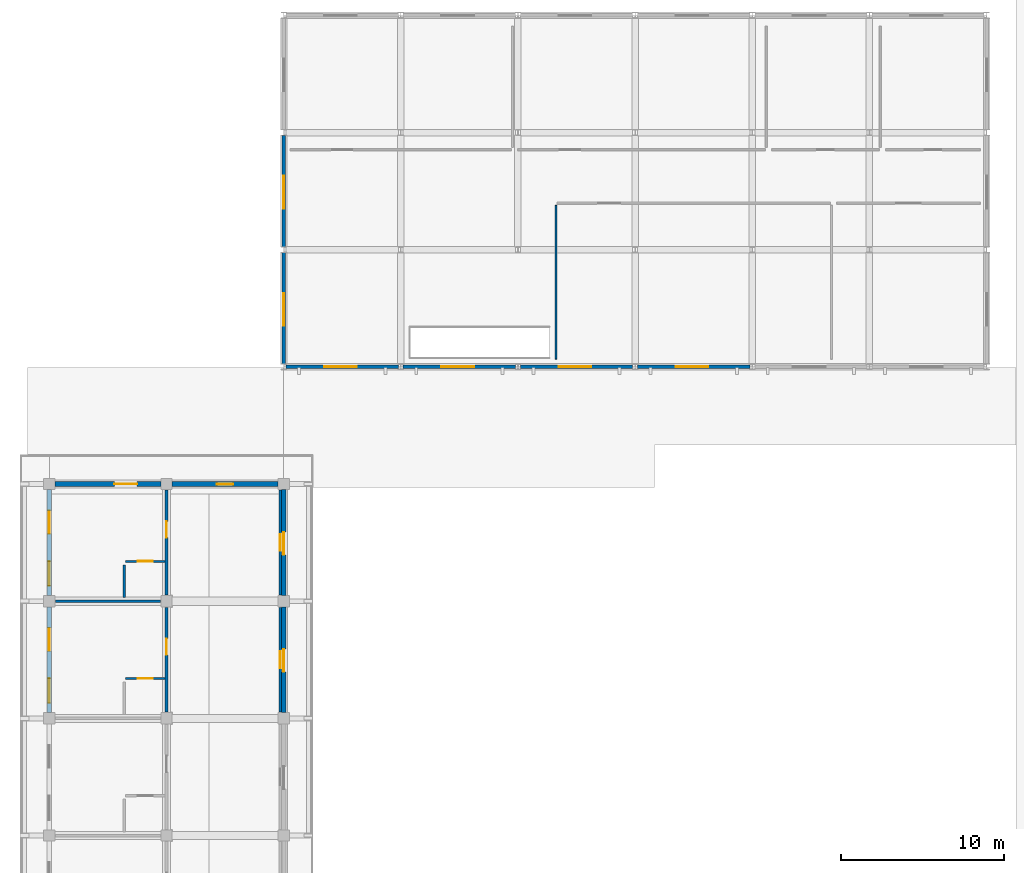
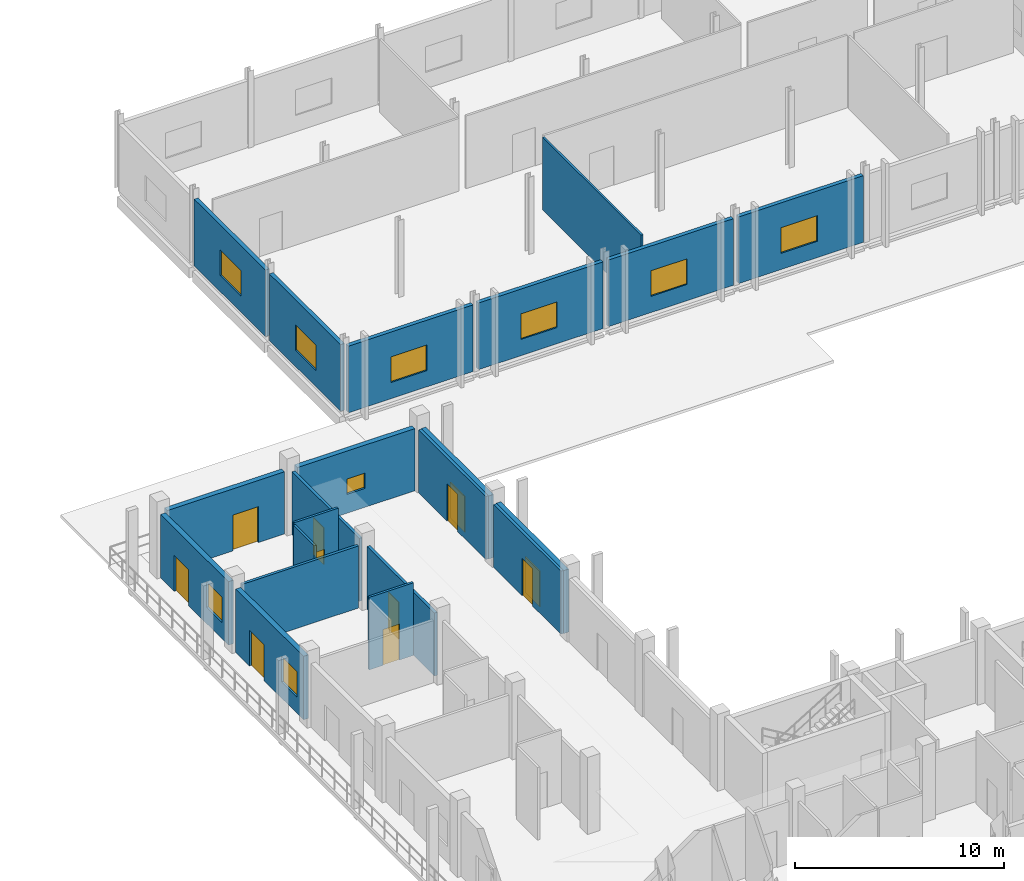
# One storey, part 68 of 110: 21 walls, 11 doors, 9 windows, 20 openings.
"""IFC4 building model written with IfcOpenShell, lengths in metres."""

import ifcopenshell
import ifcopenshell.guid

model = None  # the IFC model being written
_history = None  # IfcOwnerHistory: only IFC2X3 demands one
_inside = {}  # id of a spatial element -> (the spatial element, [elements in it])
_under = {}  # id of a project, library or spatial element -> (it, [spatial elements below it])
_declared = {}  # id of a project -> (the project, [libraries it declares])
_typed = {}  # id of a type object -> (the type object, [elements of that type])
_made_of = {}  # id of a material, layer set ... -> (it, [elements and type objects made of it])


def new_model(schema):
    """Start an empty IFC model of exactly this schema.

    Asked for "IFC4X3", IfcOpenShell would pick the latest addendum, in which some entities
    have other attributes; the version numbers below select the first issue.
    IFC2X3 requires an IfcOwnerHistory on every rooted entity: one is made here for all.
    """
    global model, _history
    if schema == "IFC4X3":
        model = ifcopenshell.file(schema_version=(4, 3, 0, 0))
    else:
        model = ifcopenshell.file(schema=schema)
    _inside.clear()
    _under.clear()
    _declared.clear()
    _typed.clear()
    _made_of.clear()
    _history = None
    if model.schema == "IFC2X3":
        org = make("IfcOrganization", Name="unknown")
        user = make(
            "IfcPersonAndOrganization",
            ThePerson=make("IfcPerson", FamilyName="unknown"),
            TheOrganization=org,
        )
        app = make(
            "IfcApplication",
            ApplicationDeveloper=org,
            Version="unknown",
            ApplicationFullName="unknown",
            ApplicationIdentifier="unknown",
        )
        _history = make(
            "IfcOwnerHistory",
            OwningUser=user,
            OwningApplication=app,
            ChangeAction="ADDED",
            CreationDate=0,
        )
    return model


def make(cls, **values):
    """One entity of the class cls with the attributes given. An attribute that is None is left unset."""
    return model.create_entity(
        cls, **{name: value for name, value in values.items() if value is not None}
    )


def rooted(cls, **values):
    """An entity with a GlobalId (a new one), such as an element, a storey or a relation."""
    return make(cls, GlobalId=ifcopenshell.guid.new(), OwnerHistory=_history, **values)


def si_unit(unit_type, name, prefix=None):
    """IfcSIUnit, for example si_unit("LENGTHUNIT", "METRE", prefix="MILLI")."""
    return make("IfcSIUnit", UnitType=unit_type, Prefix=prefix, Name=name)


def assignment(units):
    """IfcUnitAssignment: the units of a project."""
    return None if units is None else make("IfcUnitAssignment", Units=units)


def point(xyz):
    """IfcCartesianPoint."""
    return None if xyz is None else make("IfcCartesianPoint", Coordinates=xyz)


def direction(xyz):
    """IfcDirection."""
    return None if xyz is None else make("IfcDirection", DirectionRatios=xyz)


def frame(location, z_axis=None, x_axis=None):
    """IfcAxis2Placement3D, a coordinate frame: its origin and axes. An axis left out is left unset."""
    return make(
        "IfcAxis2Placement3D",
        Location=point(location),
        Axis=direction(z_axis),
        RefDirection=direction(x_axis),
    )


def frame_2d(location, x_axis=None):
    """IfcAxis2Placement2D, a coordinate frame in the plane: its origin and x axis."""
    return make(
        "IfcAxis2Placement2D", Location=point(location), RefDirection=direction(x_axis)
    )


def origin():
    """The frame at (0, 0, 0) with its axes left unset."""
    return frame((0.0, 0.0, 0.0))


def place(relative_to, where):
    """IfcLocalPlacement: puts the frame where relative to a parent placement (None: the world)."""
    return make(
        "IfcLocalPlacement", PlacementRelTo=relative_to, RelativePlacement=where
    )


def context(
    kind, dimensions, precision=None, world=None, true_north=None, identifier=None
):
    """IfcGeometricRepresentationContext, for example the 3D "Model" context."""
    return make(
        "IfcGeometricRepresentationContext",
        ContextIdentifier=identifier,
        ContextType=kind,
        CoordinateSpaceDimension=dimensions,
        Precision=precision,
        WorldCoordinateSystem=world,
        TrueNorth=true_north,
    )


def subcontext(parent, identifier, kind, view, scale=None):
    """IfcGeometricRepresentationSubContext, for example "Body" below "Model"."""
    return make(
        "IfcGeometricRepresentationSubContext",
        ContextIdentifier=identifier,
        ContextType=kind,
        ParentContext=parent,
        TargetScale=scale,
        TargetView=view,
    )


def project(units=None, contexts=None):
    """IfcProject with its units and contexts."""
    return rooted(
        "IfcProject",
        Name="project",
        RepresentationContexts=contexts,
        UnitsInContext=assignment(units),
    )


def spatial(cls, under=None, at=None, **own):
    """A site, building, storey or space (cls), placed at a placement, below another one or the project."""
    s = rooted(cls, ObjectPlacement=at, **own)
    if under is not None:
        _under.setdefault(under.id(), (under, []))[1].append(s)
    return s


def profile(cls, at=None, kind="AREA", **sizes):
    """A parametric profile (cls). Its sizes go by their IFC names, for example OverallWidth=200.0."""
    return make(cls, ProfileType=kind, Position=at, **sizes)


def rectangle(**sizes):
    """IfcRectangleProfileDef."""
    return profile("IfcRectangleProfileDef", **sizes)


def extrude(swept, where, along, depth):
    """IfcExtrudedAreaSolid: the profile swept, set in the frame where, extruded along a direction by depth."""
    return make(
        "IfcExtrudedAreaSolid",
        SweptArea=swept,
        Position=where,
        ExtrudedDirection=direction(along),
        Depth=depth,
    )


def shape(context_of_items, identifier, shape_type, items):
    """IfcShapeRepresentation: the items that make up one representation, for example the "Body"."""
    return make(
        "IfcShapeRepresentation",
        ContextOfItems=context_of_items,
        RepresentationIdentifier=identifier,
        RepresentationType=shape_type,
        Items=items,
    )


def material(Name=None, Category=None):
    """IfcMaterial."""
    return make("IfcMaterial", Name=Name, Category=Category)


def layer(
    of_material, thickness, ventilated=None, Name=None, Category=None, Priority=None
):
    """IfcMaterialLayer: one layer of a wall or slab, of a material (None: an air gap)."""
    return make(
        "IfcMaterialLayer",
        Material=of_material,
        LayerThickness=thickness,
        IsVentilated=ventilated,
        Name=Name,
        Category=Category,
        Priority=Priority,
    )


def layer_set(layers, Name=None):
    """IfcMaterialLayerSet."""
    return make("IfcMaterialLayerSet", MaterialLayers=layers, LayerSetName=Name)


def made_of(thing, what):
    """Note that an element or type object is made of a material, layer set ...; save() writes the relation."""
    if what is not None:
        _made_of.setdefault(what.id(), (what, []))[1].append(thing)
    return thing


def type_object(cls, material=None, **own):
    """A type object (cls), such as IfcWallType, which elements share."""
    return made_of(rooted(cls, **own), material)


def element(
    cls,
    number,
    at=None,
    inside=None,
    cuts=None,
    type_object=None,
    material=None,
    context=None,
    identifier="Body",
    shape_type=None,
    held_by="IfcProductDefinitionShape",
    body=None,
    shapes=None,
    **own,
):
    """One element of the class cls, such as IfcWall. Its Tag is "e" and its number.

    at: its placement. inside: the storey or other place that contains it. cuts: it is an
    opening in that element (IfcRelVoidsElement). A single representation is given by context,
    identifier, shape_type and body (its items); several are given by shapes. held_by: the class
    of the entity that holds the representations. save() writes the other relations.
    """
    e = rooted(cls, Tag="e%d" % number, ObjectPlacement=at, **own)
    if body is not None:
        shapes = [shape(context, identifier, shape_type, body)]
    if shapes is not None:
        e.Representation = make(held_by, Representations=shapes)
    if inside is not None:
        _inside.setdefault(inside.id(), (inside, []))[1].append(e)
    if cuts is not None:
        rooted(
            "IfcRelVoidsElement", RelatingBuildingElement=cuts, RelatedOpeningElement=e
        )
    if type_object is not None:
        _typed.setdefault(type_object.id(), (type_object, []))[1].append(e)
    return made_of(e, material)


def fill(opening, filler):
    """IfcRelFillsElement: the door or window that sits in an opening."""
    return rooted(
        "IfcRelFillsElement",
        RelatingOpeningElement=opening,
        RelatedBuildingElement=filler,
    )


def aggregate(whole, parts):
    """IfcRelAggregates: a whole, such as a stair, and the parts it consists of."""
    return rooted("IfcRelAggregates", RelatingObject=whole, RelatedObjects=parts)


def save(model, path):
    """Write the relations noted so far, then the file.

    IfcRelAggregates (storeys below a building ...), IfcRelContainedInSpatialStructure (elements
    in a storey), IfcRelDefinesByType, IfcRelAssociatesMaterial and IfcRelDeclares: one each for
    every whole, place, type object, material and project.
    """
    for whole, parts in _under.values():
        aggregate(whole, parts)
    for where, things in _inside.values():
        rooted(
            "IfcRelContainedInSpatialStructure",
            RelatedElements=things,
            RelatingStructure=where,
        )
    for kind, things in _typed.values():
        rooted("IfcRelDefinesByType", RelatedObjects=things, RelatingType=kind)
    for what, things in _made_of.values():
        rooted("IfcRelAssociatesMaterial", RelatedObjects=things, RelatingMaterial=what)
    for by, libraries in _declared.values():
        rooted("IfcRelDeclares", RelatingContext=by, RelatedDefinitions=libraries)
    model.write(path)


model = new_model("IFC4")

# Units and contexts
model_context = context("Model", 3, precision=1e-05, world=origin(), true_north=direction((0.0, 1.0)))
body_context = subcontext(model_context, "Body", "Model", "MODEL_VIEW")
ifc_project = project(units=[si_unit("LENGTHUNIT", "METRE"), si_unit("AREAUNIT", "SQUARE_METRE"), si_unit("VOLUMEUNIT", "CUBIC_METRE"), si_unit("PLANEANGLEUNIT", "RADIAN"), si_unit("MASSUNIT", "GRAM", prefix="KILO")], contexts=[model_context])

# Site, building, storey
site_placement = place(None, origin())
site = spatial("IfcSite", under=ifc_project, at=site_placement, CompositionType="ELEMENT")
building_placement = place(site_placement, origin())
building = spatial("IfcBuilding", under=site, at=building_placement, Name="Suanplinth Sawtooth Commons", CompositionType="ELEMENT")
storey_placement = place(building_placement, frame((0.0, 0.0, 4.5)))
storey = spatial("IfcBuildingStorey", under=building, at=storey_placement, Name="L01", CompositionType="ELEMENT", Elevation=4.5)

# Wall, openings, door, window
ifc_material_1 = material(Name="Precast concrete C40/50", Category="concrete")
ifc_layer_1 = layer(ifc_material_1, 0.280029296875, Name="Insulated precast architectural facade wall 280mm")
ifc_layer_set_1 = layer_set([ifc_layer_1], Name="Precast concrete C40/50")
wall_type_1 = type_object("IfcWallType", Name="W-EX01", PredefinedType="ELEMENTEDWALL", material=ifc_layer_set_1)
wall_1_placement = place(storey_placement, frame((0.0, 29.14990234375, 0.0), z_axis=(0.0, 0.0, 1.0), x_axis=(0.0, 1.0, 0.0)))
wall_1 = element("IfcWall", 1, at=wall_1_placement, inside=storey, type_object=wall_type_1, Name="Facade Wall W-L01-D-W-0-4", PredefinedType="ELEMENTEDWALL", context=body_context, shape_type="SweptSolid", body=[
    extrude(rectangle(XDim=6.5, YDim=0.280029296875, at=frame_2d((3.25, 0.0))), origin(), (0.0, 0.0, 1.0), 3.715087890625),
])
opening_1_placement = place(wall_1_placement, frame((3.800048828125, 0.0, 0.0)))
opening_1 = element("IfcOpeningElement", 2, at=opening_1_placement, cuts=wall_1, Name="Opening ED0114", PredefinedType="OPENING", context=body_context, shape_type="SweptSolid", body=[
    extrude(rectangle(XDim=1.39990234375, YDim=2.10009765625, at=frame_2d((0.699951171875, 1.050048828125))), frame((0.0, 0.15478515625, 0.0), z_axis=(0.0, -1.0, 0.0), x_axis=(1.0, 0.0, 0.0)), (0.0, 0.0, 1.0), 0.309814453125),
])
opening_2_placement = place(wall_1_placement, frame((0.60009765625, 0.0, 0.949951171875)))
opening_2 = element("IfcOpeningElement", 3, at=opening_2_placement, cuts=wall_1, Name="Opening W0234", PredefinedType="OPENING", context=body_context, shape_type="SweptSolid", body=[
    extrude(rectangle(XDim=1.5, YDim=1.5, at=frame_2d((0.75, 0.75))), frame((0.0, 0.15478515625, 0.0), z_axis=(0.0, -1.0, 0.0), x_axis=(1.0, 0.0, 0.0)), (0.0, 0.0, 1.0), 0.309814453125),
])
ifc_material_2 = material(Name="Anodized aluminium and low-E glass", Category="aluminium")
door_type_1 = type_object("IfcDoorType", Name="SD-07", OperationType="SLIDING_TO_RIGHT", PredefinedType="DOOR", material=ifc_material_2)
door_1_placement = place(opening_1_placement, frame((1.39990234375, 0.0, 0.0), z_axis=(0.0, 0.0, 1.0), x_axis=(-1.0, 0.0, 0.0)))
door_1 = element("IfcDoor", 4, at=door_1_placement, inside=storey, type_object=door_type_1, Name="Wing Balcony Sliding Door L01-D-4", OperationType="SLIDING_TO_RIGHT", OverallHeight=2.10009765625, OverallWidth=1.39990234375, PredefinedType="DOOR", context=body_context, shape_type="SweptSolid", body=[
    extrude(rectangle(XDim=1.39990234375, YDim=2.10009765625, at=frame_2d((0.699951171875, 1.050048828125))), frame((0.0, 0.02490234375, 0.0), z_axis=(0.0, -1.0, 0.0), x_axis=(1.0, 0.0, 0.0)), (0.0, 0.0, 1.0), 0.050048828125),
])
fill(opening_1, door_1)
ifc_material_3 = material(Name="Thermally broken aluminium and low-E double glazing", Category="aluminium")
window_type_1 = type_object("IfcWindowType", Name="WN-02", PartitioningType="DOUBLE_PANEL_VERTICAL", PredefinedType="WINDOW", material=ifc_material_3)
window_1_placement = place(opening_2_placement, origin())
window_1 = element("IfcWindow", 5, at=window_1_placement, inside=storey, type_object=window_type_1, Name="Wing Window L01-D-4", OverallHeight=1.5, OverallWidth=1.5, PartitioningType="DOUBLE_PANEL_VERTICAL", PredefinedType="WINDOW", context=body_context, shape_type="SweptSolid", body=[
    extrude(rectangle(XDim=1.5, YDim=1.5, at=frame_2d((0.75, 0.75))), frame((0.0, 0.030029296875, 0.0), z_axis=(0.0, -1.0, 0.0), x_axis=(1.0, 0.0, 0.0)), (0.0, 0.0, 1.0), 0.06005859375),
])
fill(opening_2, window_1)

# Wall, opening, door
wall_2_placement = place(storey_placement, frame((0.35009765625, 43.199951171875, 0.0), z_axis=(0.0, 0.0, 1.0), x_axis=(1.0, 0.0, 0.0)))
wall_2 = element("IfcWall", 6, at=wall_2_placement, inside=storey, type_object=wall_type_1, Name="Facade Wall W-L01-D-N-0-5", PredefinedType="ELEMENTEDWALL", context=body_context, shape_type="SweptSolid", body=[
    extrude(rectangle(XDim=6.5, YDim=0.280029296875, at=frame_2d((3.25, 0.0))), origin(), (0.0, 0.0, 1.0), 3.635009765625),
])
opening_3_placement = place(wall_2_placement, frame((3.64990234375, 0.0, 0.0)))
opening_3 = element("IfcOpeningElement", 7, at=opening_3_placement, cuts=wall_2, Name="Opening ED0115", PredefinedType="OPENING", context=body_context, shape_type="SweptSolid", body=[
    extrude(rectangle(XDim=1.39990234375, YDim=2.10009765625, at=frame_2d((0.699951171875, 1.050048828125))), frame((0.0, 0.15478515625, 0.0), z_axis=(0.0, -1.0, 0.0), x_axis=(1.0, 0.0, 0.0)), (0.0, 0.0, 1.0), 0.309814453125),
])
door_2_placement = place(opening_3_placement, frame((1.39990234375, 0.0, 0.0), z_axis=(0.0, 0.0, 1.0), x_axis=(-1.0, 0.0, 0.0)))
door_2 = element("IfcDoor", 8, at=door_2_placement, inside=storey, type_object=door_type_1, Name="End Balcony Sliding Door L01-D-N-0-5", OperationType="SLIDING_TO_RIGHT", OverallHeight=2.10009765625, OverallWidth=1.39990234375, PredefinedType="DOOR", context=body_context, shape_type="SweptSolid", body=[
    extrude(rectangle(XDim=1.39990234375, YDim=2.10009765625, at=frame_2d((0.699951171875, 1.050048828125))), frame((0.0, 0.02490234375, 0.0), z_axis=(0.0, -1.0, 0.0), x_axis=(1.0, 0.0, 0.0)), (0.0, 0.0, 1.0), 0.050048828125),
])
fill(opening_3, door_2)

# Wall, openings, door, window
wall_3_placement = place(storey_placement, frame((0.0, 36.35009765625, 0.0), z_axis=(0.0, 0.0, 1.0), x_axis=(0.0, 1.0, 0.0)))
wall_3 = element("IfcWall", 9, at=wall_3_placement, inside=storey, type_object=wall_type_1, Name="Facade Wall W-L01-D-W-0-5", PredefinedType="ELEMENTEDWALL", context=body_context, shape_type="SweptSolid", body=[
    extrude(rectangle(XDim=6.5, YDim=0.280029296875, at=frame_2d((3.25, 0.0))), origin(), (0.0, 0.0, 1.0), 3.715087890625),
])
opening_4_placement = place(wall_3_placement, frame((3.800048828125, 0.0, 0.0)))
opening_4 = element("IfcOpeningElement", 10, at=opening_4_placement, cuts=wall_3, Name="Opening ED0116", PredefinedType="OPENING", context=body_context, shape_type="SweptSolid", body=[
    extrude(rectangle(XDim=1.39990234375, YDim=2.10009765625, at=frame_2d((0.699951171875, 1.050048828125))), frame((0.0, 0.15478515625, 0.0), z_axis=(0.0, -1.0, 0.0), x_axis=(1.0, 0.0, 0.0)), (0.0, 0.0, 1.0), 0.309814453125),
])
opening_5_placement = place(wall_3_placement, frame((0.60009765625, 0.0, 0.949951171875)))
opening_5 = element("IfcOpeningElement", 11, at=opening_5_placement, cuts=wall_3, Name="Opening W0235", PredefinedType="OPENING", context=body_context, shape_type="SweptSolid", body=[
    extrude(rectangle(XDim=1.5, YDim=1.5, at=frame_2d((0.75, 0.75))), frame((0.0, 0.15478515625, 0.0), z_axis=(0.0, -1.0, 0.0), x_axis=(1.0, 0.0, 0.0)), (0.0, 0.0, 1.0), 0.309814453125),
])
door_3_placement = place(opening_4_placement, frame((1.39990234375, 0.0, 0.0), z_axis=(0.0, 0.0, 1.0), x_axis=(-1.0, 0.0, 0.0)))
door_3 = element("IfcDoor", 12, at=door_3_placement, inside=storey, type_object=door_type_1, Name="Wing Balcony Sliding Door L01-D-5", OperationType="SLIDING_TO_RIGHT", OverallHeight=2.10009765625, OverallWidth=1.39990234375, PredefinedType="DOOR", context=body_context, shape_type="SweptSolid", body=[
    extrude(rectangle(XDim=1.39990234375, YDim=2.10009765625, at=frame_2d((0.699951171875, 1.050048828125))), frame((0.0, 0.02490234375, 0.0), z_axis=(0.0, -1.0, 0.0), x_axis=(1.0, 0.0, 0.0)), (0.0, 0.0, 1.0), 0.050048828125),
])
fill(opening_4, door_3)
window_2_placement = place(opening_5_placement, origin())
window_2 = element("IfcWindow", 13, at=window_2_placement, inside=storey, type_object=window_type_1, Name="Wing Window L01-D-5", OverallHeight=1.5, OverallWidth=1.5, PartitioningType="DOUBLE_PANEL_VERTICAL", PredefinedType="WINDOW", context=body_context, shape_type="SweptSolid", body=[
    extrude(rectangle(XDim=1.5, YDim=1.5, at=frame_2d((0.75, 0.75))), frame((0.0, 0.030029296875, 0.0), z_axis=(0.0, -1.0, 0.0), x_axis=(1.0, 0.0, 0.0)), (0.0, 0.0, 1.0), 0.06005859375),
])
fill(opening_5, window_2)

# Wall, opening, door
wall_4_placement = place(storey_placement, frame((14.39990234375, 29.14990234375, 0.0), z_axis=(0.0, 0.0, 1.0), x_axis=(0.0, 1.0, 0.0)))
wall_4 = element("IfcWall", 14, at=wall_4_placement, inside=storey, type_object=wall_type_1, Name="Facade Wall W-L01-D-E-1-4", PredefinedType="ELEMENTEDWALL", context=body_context, shape_type="SweptSolid", body=[
    extrude(rectangle(XDim=6.5, YDim=0.280029296875, at=frame_2d((3.25, 0.0))), origin(), (0.0, 0.0, 1.0), 3.68505859375),
])
opening_6_placement = place(wall_4_placement, frame((2.5, 0.0, 0.0)))
opening_6 = element("IfcOpeningElement", 15, at=opening_6_placement, cuts=wall_4, Name="Opening ED0120", PredefinedType="OPENING", context=body_context, shape_type="SweptSolid", body=[
    extrude(rectangle(XDim=1.39990234375, YDim=2.10009765625, at=frame_2d((0.699951171875, 1.050048828125))), frame((0.0, 0.15478515625, 0.0), z_axis=(0.0, -1.0, 0.0), x_axis=(1.0, 0.0, 0.0)), (0.0, 0.0, 1.0), 0.309814453125),
])
door_4_placement = place(opening_6_placement, frame((1.39990234375, 0.0, 0.0), z_axis=(0.0, 0.0, 1.0), x_axis=(-1.0, 0.0, 0.0)))
door_4 = element("IfcDoor", 16, at=door_4_placement, inside=storey, type_object=door_type_1, Name="Courtyard Veranda Studio Balcony Door L01-D-4", OperationType="SLIDING_TO_RIGHT", OverallHeight=2.10009765625, OverallWidth=1.39990234375, PredefinedType="DOOR", context=body_context, shape_type="SweptSolid", body=[
    extrude(rectangle(XDim=1.39990234375, YDim=2.10009765625, at=frame_2d((0.699951171875, 1.050048828125))), frame((0.0, 0.02490234375, 0.0), z_axis=(0.0, -1.0, 0.0), x_axis=(1.0, 0.0, 0.0)), (0.0, 0.0, 1.0), 0.050048828125),
])
fill(opening_6, door_4)

# Wall, opening, window
wall_5_placement = place(storey_placement, frame((7.550048828125, 43.199951171875, 0.0), z_axis=(0.0, 0.0, 1.0), x_axis=(1.0, 0.0, 0.0)))
wall_5 = element("IfcWall", 17, at=wall_5_placement, inside=storey, type_object=wall_type_1, Name="Facade Wall W-L01-D-N-1-5", PredefinedType="ELEMENTEDWALL", context=body_context, shape_type="SweptSolid", body=[
    extrude(rectangle(XDim=6.5, YDim=0.280029296875, at=frame_2d((3.25, 0.0))), origin(), (0.0, 0.0, 1.0), 3.635009765625),
])
opening_7_placement = place(wall_5_placement, frame((2.75, 0.0, 1.10009765625)))
opening_7 = element("IfcOpeningElement", 18, at=opening_7_placement, cuts=wall_5, Name="Opening W0237", PredefinedType="OPENING", context=body_context, shape_type="SweptSolid", body=[
    extrude(rectangle(XDim=1.0, YDim=0.89990234375, at=frame_2d((0.5, 0.449951171875))), frame((0.0, 0.15478515625, 0.0), z_axis=(0.0, -1.0, 0.0), x_axis=(1.0, 0.0, 0.0)), (0.0, 0.0, 1.0), 0.309814453125),
])
window_type_2 = type_object("IfcWindowType", Name="WN-12", PartitioningType="SINGLE_PANEL", PredefinedType="WINDOW", material=ifc_material_3)
window_3_placement = place(opening_7_placement, origin())
window_3 = element("IfcWindow", 19, at=window_3_placement, inside=storey, type_object=window_type_2, Name="End Window L01-D-N-1-5", OverallHeight=0.89990234375, OverallWidth=1.0, PartitioningType="SINGLE_PANEL", PredefinedType="WINDOW", context=body_context, shape_type="SweptSolid", body=[
    extrude(rectangle(XDim=1.0, YDim=0.89990234375, at=frame_2d((0.5, 0.449951171875))), frame((0.0, 0.030029296875, 0.0), z_axis=(0.0, -1.0, 0.0), x_axis=(1.0, 0.0, 0.0)), (0.0, 0.0, 1.0), 0.06005859375),
])
fill(opening_7, window_3)

# Wall, opening, door
wall_6_placement = place(storey_placement, frame((14.39990234375, 36.35009765625, 0.0), z_axis=(0.0, 0.0, 1.0), x_axis=(0.0, 1.0, 0.0)))
wall_6 = element("IfcWall", 20, at=wall_6_placement, inside=storey, type_object=wall_type_1, Name="Facade Wall W-L01-D-E-1-5", PredefinedType="ELEMENTEDWALL", context=body_context, shape_type="SweptSolid", body=[
    extrude(rectangle(XDim=6.5, YDim=0.280029296875, at=frame_2d((3.25, 0.0))), origin(), (0.0, 0.0, 1.0), 3.68505859375),
])
opening_8_placement = place(wall_6_placement, frame((2.5, 0.0, 0.0)))
opening_8 = element("IfcOpeningElement", 21, at=opening_8_placement, cuts=wall_6, Name="Opening ED0121", PredefinedType="OPENING", context=body_context, shape_type="SweptSolid", body=[
    extrude(rectangle(XDim=1.39990234375, YDim=2.10009765625, at=frame_2d((0.699951171875, 1.050048828125))), frame((0.0, 0.15478515625, 0.0), z_axis=(0.0, -1.0, 0.0), x_axis=(1.0, 0.0, 0.0)), (0.0, 0.0, 1.0), 0.309814453125),
])
door_5_placement = place(opening_8_placement, frame((1.39990234375, 0.0, 0.0), z_axis=(0.0, 0.0, 1.0), x_axis=(-1.0, 0.0, 0.0)))
door_5 = element("IfcDoor", 22, at=door_5_placement, inside=storey, type_object=door_type_1, Name="Courtyard Veranda Studio Balcony Door L01-D-5", OperationType="SLIDING_TO_RIGHT", OverallHeight=2.10009765625, OverallWidth=1.39990234375, PredefinedType="DOOR", context=body_context, shape_type="SweptSolid", body=[
    extrude(rectangle(XDim=1.39990234375, YDim=2.10009765625, at=frame_2d((0.699951171875, 1.050048828125))), frame((0.0, 0.02490234375, 0.0), z_axis=(0.0, -1.0, 0.0), x_axis=(1.0, 0.0, 0.0)), (0.0, 0.0, 1.0), 0.050048828125),
])
fill(opening_8, door_5)

# Wall, opening, window
ifc_layer_2 = layer(ifc_material_1, 0.219970703125, Name="Civic pavilion insulated facade wall 220mm")
ifc_layer_set_2 = layer_set([ifc_layer_2], Name="Precast concrete C40/50")
wall_type_2 = type_object("IfcWallType", Name="W-EX05", PredefinedType="ELEMENTEDWALL", material=ifc_layer_set_2)
wall_7_placement = place(storey_placement, frame((14.550048828125, 50.39990234375, 0.0), z_axis=(0.0, 0.0, 1.0), x_axis=(1.0, 0.0, 0.0)))
wall_7 = element("IfcWall", 23, at=wall_7_placement, inside=storey, type_object=wall_type_2, Name="Makerspace S Wall L01-2", PredefinedType="ELEMENTEDWALL", context=body_context, shape_type="SweptSolid", body=[
    extrude(rectangle(XDim=6.89990234375, YDim=0.219970703125, at=frame_2d((3.449951171875, 0.0))), origin(), (0.0, 0.0, 1.0), 3.89990234375),
])
opening_9_placement = place(wall_7_placement, frame((2.35009765625, 0.0, 0.949951171875)))
opening_9 = element("IfcOpeningElement", 24, at=opening_9_placement, cuts=wall_7, Name="Opening W0053", PredefinedType="OPENING", context=body_context, shape_type="SweptSolid", body=[
    extrude(rectangle(XDim=2.0, YDim=1.5, at=frame_2d((1.0, 0.75))), frame((0.0, 0.125, 0.0), z_axis=(0.0, -1.0, 0.0), x_axis=(1.0, 0.0, 0.0)), (0.0, 0.0, 1.0), 0.249755859375),
])
window_type_3 = type_object("IfcWindowType", Name="WN-09", PartitioningType="DOUBLE_PANEL_VERTICAL", PredefinedType="WINDOW", material=ifc_material_3)
window_4_placement = place(opening_9_placement, origin())
window_4 = element("IfcWindow", 25, at=window_4_placement, inside=storey, type_object=window_type_3, Name="Makerspace Window S-2", OverallHeight=1.5, OverallWidth=2.0, PartitioningType="DOUBLE_PANEL_VERTICAL", PredefinedType="WINDOW", context=body_context, shape_type="SweptSolid", body=[
    extrude(rectangle(XDim=2.0, YDim=1.5, at=frame_2d((1.0, 0.75))), frame((0.0, 0.030029296875, 0.0), z_axis=(0.0, -1.0, 0.0), x_axis=(1.0, 0.0, 0.0)), (0.0, 0.0, 1.0), 0.06005859375),
])
fill(opening_9, window_4)

wall_8_placement = place(storey_placement, frame((21.75, 50.39990234375, 0.0), z_axis=(0.0, 0.0, 1.0), x_axis=(1.0, 0.0, 0.0)))
wall_8 = element("IfcWall", 26, at=wall_8_placement, inside=storey, type_object=wall_type_2, Name="Makerspace S Wall L01-3", PredefinedType="ELEMENTEDWALL", context=body_context, shape_type="SweptSolid", body=[
    extrude(rectangle(XDim=6.89990234375, YDim=0.219970703125, at=frame_2d((3.449951171875, 0.0))), origin(), (0.0, 0.0, 1.0), 3.89990234375),
])
opening_10_placement = place(wall_8_placement, frame((2.35009765625, 0.0, 0.949951171875)))
opening_10 = element("IfcOpeningElement", 27, at=opening_10_placement, cuts=wall_8, Name="Opening W0055", PredefinedType="OPENING", context=body_context, shape_type="SweptSolid", body=[
    extrude(rectangle(XDim=2.0, YDim=1.5, at=frame_2d((1.0, 0.75))), frame((0.0, 0.125, 0.0), z_axis=(0.0, -1.0, 0.0), x_axis=(1.0, 0.0, 0.0)), (0.0, 0.0, 1.0), 0.249755859375),
])
window_5_placement = place(opening_10_placement, origin())
window_5 = element("IfcWindow", 28, at=window_5_placement, inside=storey, type_object=window_type_3, Name="Makerspace Window S-3", OverallHeight=1.5, OverallWidth=2.0, PartitioningType="DOUBLE_PANEL_VERTICAL", PredefinedType="WINDOW", context=body_context, shape_type="SweptSolid", body=[
    extrude(rectangle(XDim=2.0, YDim=1.5, at=frame_2d((1.0, 0.75))), frame((0.0, 0.030029296875, 0.0), z_axis=(0.0, -1.0, 0.0), x_axis=(1.0, 0.0, 0.0)), (0.0, 0.0, 1.0), 0.06005859375),
])
fill(opening_10, window_5)

wall_9_placement = place(storey_placement, frame((28.949951171875, 50.39990234375, 0.0), z_axis=(0.0, 0.0, 1.0), x_axis=(1.0, 0.0, 0.0)))
wall_9 = element("IfcWall", 29, at=wall_9_placement, inside=storey, type_object=wall_type_2, Name="Makerspace S Wall L01-4", PredefinedType="ELEMENTEDWALL", context=body_context, shape_type="SweptSolid", body=[
    extrude(rectangle(XDim=6.900146484375, YDim=0.219970703125, at=frame_2d((3.4501953125, 0.0))), origin(), (0.0, 0.0, 1.0), 3.89990234375),
])
opening_11_placement = place(wall_9_placement, frame((2.35009765625, 0.0, 0.949951171875)))
opening_11 = element("IfcOpeningElement", 30, at=opening_11_placement, cuts=wall_9, Name="Opening W0057", PredefinedType="OPENING", context=body_context, shape_type="SweptSolid", body=[
    extrude(rectangle(XDim=2.0, YDim=1.5, at=frame_2d((1.0, 0.75))), frame((0.0, 0.125, 0.0), z_axis=(0.0, -1.0, 0.0), x_axis=(1.0, 0.0, 0.0)), (0.0, 0.0, 1.0), 0.249755859375),
])
window_6_placement = place(opening_11_placement, origin())
window_6 = element("IfcWindow", 31, at=window_6_placement, inside=storey, type_object=window_type_3, Name="Makerspace Window S-4", OverallHeight=1.5, OverallWidth=2.0, PartitioningType="DOUBLE_PANEL_VERTICAL", PredefinedType="WINDOW", context=body_context, shape_type="SweptSolid", body=[
    extrude(rectangle(XDim=2.0, YDim=1.5, at=frame_2d((1.0, 0.75))), frame((0.0, 0.030029296875, 0.0), z_axis=(0.0, -1.0, 0.0), x_axis=(1.0, 0.0, 0.0)), (0.0, 0.0, 1.0), 0.06005859375),
])
fill(opening_11, window_6)

wall_10_placement = place(storey_placement, frame((36.14990234375, 50.39990234375, 0.0), z_axis=(0.0, 0.0, 1.0), x_axis=(1.0, 0.0, 0.0)))
wall_10 = element("IfcWall", 32, at=wall_10_placement, inside=storey, type_object=wall_type_2, Name="Makerspace S Wall L01-5", PredefinedType="ELEMENTEDWALL", context=body_context, shape_type="SweptSolid", body=[
    extrude(rectangle(XDim=6.900146484375, YDim=0.219970703125, at=frame_2d((3.4501953125, 0.0))), origin(), (0.0, 0.0, 1.0), 3.89990234375),
])
opening_12_placement = place(wall_10_placement, frame((2.35009765625, 0.0, 0.949951171875)))
opening_12 = element("IfcOpeningElement", 33, at=opening_12_placement, cuts=wall_10, Name="Opening W0059", PredefinedType="OPENING", context=body_context, shape_type="SweptSolid", body=[
    extrude(rectangle(XDim=2.0, YDim=1.5, at=frame_2d((1.0, 0.75))), frame((0.0, 0.125, 0.0), z_axis=(0.0, -1.0, 0.0), x_axis=(1.0, 0.0, 0.0)), (0.0, 0.0, 1.0), 0.249755859375),
])
window_7_placement = place(opening_12_placement, origin())
window_7 = element("IfcWindow", 34, at=window_7_placement, inside=storey, type_object=window_type_3, Name="Makerspace Window S-5", OverallHeight=1.5, OverallWidth=2.0, PartitioningType="DOUBLE_PANEL_VERTICAL", PredefinedType="WINDOW", context=body_context, shape_type="SweptSolid", body=[
    extrude(rectangle(XDim=2.0, YDim=1.5, at=frame_2d((1.0, 0.75))), frame((0.0, 0.030029296875, 0.0), z_axis=(0.0, -1.0, 0.0), x_axis=(1.0, 0.0, 0.0)), (0.0, 0.0, 1.0), 0.06005859375),
])
fill(opening_12, window_7)

wall_11_placement = place(storey_placement, frame((14.39990234375, 50.580078125, 0.0), z_axis=(0.0, 0.0, 1.0), x_axis=(0.0, 1.0, 0.0)))
wall_11 = element("IfcWall", 35, at=wall_11_placement, inside=storey, type_object=wall_type_2, Name="Market W Wall L01-7", PredefinedType="ELEMENTEDWALL", context=body_context, shape_type="SweptSolid", body=[
    extrude(rectangle(XDim=6.83984375, YDim=0.219970703125, at=frame_2d((3.419921875, 0.0))), origin(), (0.0, 0.0, 1.0), 3.89990234375),
])
opening_13_placement = place(wall_11_placement, frame((2.35009765625, 0.0, 0.949951171875)))
opening_13 = element("IfcOpeningElement", 36, at=opening_13_placement, cuts=wall_11, Name="Opening W0067", PredefinedType="OPENING", context=body_context, shape_type="SweptSolid", body=[
    extrude(rectangle(XDim=2.0, YDim=1.5, at=frame_2d((1.0, 0.75))), frame((0.0, 0.125, 0.0), z_axis=(0.0, -1.0, 0.0), x_axis=(1.0, 0.0, 0.0)), (0.0, 0.0, 1.0), 0.249755859375),
])
window_8_placement = place(opening_13_placement, origin())
window_8 = element("IfcWindow", 37, at=window_8_placement, inside=storey, type_object=window_type_3, Name="Market W Window L01-7", OverallHeight=1.5, OverallWidth=2.0, PartitioningType="DOUBLE_PANEL_VERTICAL", PredefinedType="WINDOW", context=body_context, shape_type="SweptSolid", body=[
    extrude(rectangle(XDim=2.0, YDim=1.5, at=frame_2d((1.0, 0.75))), frame((0.0, 0.030029296875, 0.0), z_axis=(0.0, -1.0, 0.0), x_axis=(1.0, 0.0, 0.0)), (0.0, 0.0, 1.0), 0.06005859375),
])
fill(opening_13, window_8)

wall_12_placement = place(storey_placement, frame((14.39990234375, 57.780029296875, 0.0), z_axis=(0.0, 0.0, 1.0), x_axis=(0.0, 1.0, 0.0)))
wall_12 = element("IfcWall", 38, at=wall_12_placement, inside=storey, type_object=wall_type_2, Name="Market W Wall L01-8", PredefinedType="ELEMENTEDWALL", context=body_context, shape_type="SweptSolid", body=[
    extrude(rectangle(XDim=6.840087890625, YDim=0.219970703125, at=frame_2d((3.419921875, 0.0))), origin(), (0.0, 0.0, 1.0), 3.89990234375),
])
opening_14_placement = place(wall_12_placement, frame((2.35009765625, 0.0, 0.949951171875)))
opening_14 = element("IfcOpeningElement", 39, at=opening_14_placement, cuts=wall_12, Name="Opening W0070", PredefinedType="OPENING", context=body_context, shape_type="SweptSolid", body=[
    extrude(rectangle(XDim=2.0, YDim=1.5, at=frame_2d((1.0, 0.75))), frame((0.0, 0.125, 0.0), z_axis=(0.0, -1.0, 0.0), x_axis=(1.0, 0.0, 0.0)), (0.0, 0.0, 1.0), 0.249755859375),
])
window_9_placement = place(opening_14_placement, origin())
window_9 = element("IfcWindow", 40, at=window_9_placement, inside=storey, type_object=window_type_3, Name="Market W Window L01-8", OverallHeight=1.5, OverallWidth=2.0, PartitioningType="DOUBLE_PANEL_VERTICAL", PredefinedType="WINDOW", context=body_context, shape_type="SweptSolid", body=[
    extrude(rectangle(XDim=2.0, YDim=1.5, at=frame_2d((1.0, 0.75))), frame((0.0, 0.030029296875, 0.0), z_axis=(0.0, -1.0, 0.0), x_axis=(1.0, 0.0, 0.0)), (0.0, 0.0, 1.0), 0.06005859375),
])
fill(opening_14, window_9)

# Wall, opening, door
ifc_layer_3 = layer(ifc_material_1, 0.159912109375, Name="Fire-rated corridor and lobby wall 160mm")
ifc_layer_set_3 = layer_set([ifc_layer_3], Name="Precast concrete C40/50")
wall_type_3 = type_object("IfcWallType", Name="W-FW01", PredefinedType="PARTITIONING", material=ifc_layer_set_3)
wall_13_placement = place(storey_placement, frame((7.199951171875, 29.179931640625, 0.0), z_axis=(0.0, 0.0, 1.0), x_axis=(0.0, 1.0, 0.0)))
wall_13 = element("IfcWall", 41, at=wall_13_placement, inside=storey, type_object=wall_type_3, Name="W-D-L01-L03-COR", PredefinedType="PARTITIONING", context=body_context, shape_type="SweptSolid", body=[
    extrude(rectangle(XDim=6.440185546875, YDim=0.159912109375, at=frame_2d((3.22021484375, 0.0))), origin(), (0.0, 0.0, 1.0), 3.68505859375),
])
opening_15_placement = place(wall_13_placement, frame((3.52001953125, 0.0, 0.0)))
opening_15 = element("IfcOpeningElement", 42, at=opening_15_placement, cuts=wall_13, Name="Opening FD0682", PredefinedType="OPENING", context=body_context, shape_type="SweptSolid", body=[
    extrude(rectangle(XDim=1.0, YDim=2.14990234375, at=frame_2d((0.5, 1.074951171875))), frame((0.0, 0.0947265625, 0.0), z_axis=(0.0, -1.0, 0.0), x_axis=(1.0, 0.0, 0.0)), (0.0, 0.0, 1.0), 0.189697265625),
])
ifc_material_4 = material(Name="Teak hardwood fire-rated door assembly", Category="wood")
door_type_2 = type_object("IfcDoorType", Name="FD-03", OperationType="NOTDEFINED", PredefinedType="DOOR", material=ifc_material_4)
door_6_placement = place(opening_15_placement, origin())
door_6 = element("IfcDoor", 43, at=door_6_placement, inside=storey, type_object=door_type_2, Name="Wing Unit Entrance Door FD0682", OperationType="SINGLE_SWING_RIGHT", OverallHeight=2.14990234375, OverallWidth=1.0, PredefinedType="DOOR", context=body_context, shape_type="SweptSolid", body=[
    extrude(rectangle(XDim=1.0, YDim=2.14990234375, at=frame_2d((0.5, 1.074951171875))), frame((0.0, 0.02490234375, 0.0), z_axis=(0.0, -1.0, 0.0), x_axis=(1.0, 0.0, 0.0)), (0.0, 0.0, 1.0), 0.050048828125),
])
fill(opening_15, door_6)

wall_14_placement = place(storey_placement, frame((14.199951171875, 29.179931640625, 0.0), z_axis=(0.0, 0.0, 1.0), x_axis=(0.0, 1.0, 0.0)))
wall_14 = element("IfcWall", 44, at=wall_14_placement, inside=storey, type_object=wall_type_3, Name="W-D-L01-LEGCOURTROOM-72-COR", PredefinedType="PARTITIONING", context=body_context, shape_type="SweptSolid", body=[
    extrude(rectangle(XDim=6.440185546875, YDim=0.159912109375, at=frame_2d((3.22021484375, 0.0))), origin(), (0.0, 0.0, 1.0), 3.68505859375),
])
opening_16_placement = place(wall_14_placement, frame((2.7099609375, 0.0, 0.0)))
opening_16 = element("IfcOpeningElement", 45, at=opening_16_placement, cuts=wall_14, Name="Opening D0684", PredefinedType="OPENING", context=body_context, shape_type="SweptSolid", body=[
    extrude(rectangle(XDim=1.02001953125, YDim=2.179931640625, at=frame_2d((0.510009765625, 1.08984375))), frame((0.0, 0.0947265625, 0.0), z_axis=(0.0, -1.0, 0.0), x_axis=(1.0, 0.0, 0.0)), (0.0, 0.0, 1.0), 0.189697265625),
])
ifc_material_5 = material(Name="Teak hardwood", Category="wood")
door_type_3 = type_object("IfcDoorType", Name="D-16", OperationType="NOTDEFINED", PredefinedType="DOOR", material=ifc_material_5)
door_7_placement = place(opening_16_placement, frame((1.02001953125, 0.0, 0.0), z_axis=(0.0, 0.0, 1.0), x_axis=(-1.0, 0.0, 0.0)))
door_7 = element("IfcDoor", 46, at=door_7_placement, inside=storey, type_object=door_type_3, Name="Veranda Studio Door D0684", OperationType="SINGLE_SWING_RIGHT", OverallHeight=2.179931640625, OverallWidth=1.02001953125, PredefinedType="DOOR", context=body_context, shape_type="SweptSolid", body=[
    extrude(rectangle(XDim=1.02001953125, YDim=2.179931640625, at=frame_2d((0.510009765625, 1.08984375))), frame((0.0, 0.02490234375, 0.0), z_axis=(0.0, -1.0, 0.0), x_axis=(1.0, 0.0, 0.0)), (0.0, 0.0, 1.0), 0.050048828125),
])
fill(opening_16, door_7)

wall_15_placement = place(storey_placement, frame((7.199951171875, 36.3798828125, 0.0), z_axis=(0.0, 0.0, 1.0), x_axis=(0.0, 1.0, 0.0)))
wall_15 = element("IfcWall", 47, at=wall_15_placement, inside=storey, type_object=wall_type_3, Name="W-D-L01-L04-COR", PredefinedType="PARTITIONING", context=body_context, shape_type="SweptSolid", body=[
    extrude(rectangle(XDim=6.440185546875, YDim=0.159912109375, at=frame_2d((3.22021484375, 0.0))), origin(), (0.0, 0.0, 1.0), 3.68505859375),
])
opening_17_placement = place(wall_15_placement, frame((3.52001953125, 0.0, 0.0)))
opening_17 = element("IfcOpeningElement", 48, at=opening_17_placement, cuts=wall_15, Name="Opening FD0685", PredefinedType="OPENING", context=body_context, shape_type="SweptSolid", body=[
    extrude(rectangle(XDim=1.0, YDim=2.14990234375, at=frame_2d((0.5, 1.074951171875))), frame((0.0, 0.0947265625, 0.0), z_axis=(0.0, -1.0, 0.0), x_axis=(1.0, 0.0, 0.0)), (0.0, 0.0, 1.0), 0.189697265625),
])
door_8_placement = place(opening_17_placement, origin())
door_8 = element("IfcDoor", 49, at=door_8_placement, inside=storey, type_object=door_type_2, Name="Wing Unit Entrance Door FD0685", OperationType="SINGLE_SWING_LEFT", OverallHeight=2.14990234375, OverallWidth=1.0, PredefinedType="DOOR", context=body_context, shape_type="SweptSolid", body=[
    extrude(rectangle(XDim=1.0, YDim=2.14990234375, at=frame_2d((0.5, 1.074951171875))), frame((0.0, 0.02490234375, 0.0), z_axis=(0.0, -1.0, 0.0), x_axis=(1.0, 0.0, 0.0)), (0.0, 0.0, 1.0), 0.050048828125),
])
fill(opening_17, door_8)

wall_16_placement = place(storey_placement, frame((14.199951171875, 36.3798828125, 0.0), z_axis=(0.0, 0.0, 1.0), x_axis=(0.0, 1.0, 0.0)))
wall_16 = element("IfcWall", 50, at=wall_16_placement, inside=storey, type_object=wall_type_3, Name="W-D-L01-LEGCOURTROOM-74-COR", PredefinedType="PARTITIONING", context=body_context, shape_type="SweptSolid", body=[
    extrude(rectangle(XDim=6.440185546875, YDim=0.159912109375, at=frame_2d((3.22021484375, 0.0))), origin(), (0.0, 0.0, 1.0), 3.68505859375),
])
opening_18_placement = place(wall_16_placement, frame((2.7099609375, 0.0, 0.0)))
opening_18 = element("IfcOpeningElement", 51, at=opening_18_placement, cuts=wall_16, Name="Opening D0687", PredefinedType="OPENING", context=body_context, shape_type="SweptSolid", body=[
    extrude(rectangle(XDim=1.02001953125, YDim=2.179931640625, at=frame_2d((0.510009765625, 1.08984375))), frame((0.0, 0.0947265625, 0.0), z_axis=(0.0, -1.0, 0.0), x_axis=(1.0, 0.0, 0.0)), (0.0, 0.0, 1.0), 0.189697265625),
])
door_9_placement = place(opening_18_placement, frame((1.02001953125, 0.0, 0.0), z_axis=(0.0, 0.0, 1.0), x_axis=(-1.0, 0.0, 0.0)))
door_9 = element("IfcDoor", 52, at=door_9_placement, inside=storey, type_object=door_type_3, Name="Veranda Studio Door D0687", OperationType="SINGLE_SWING_LEFT", OverallHeight=2.179931640625, OverallWidth=1.02001953125, PredefinedType="DOOR", context=body_context, shape_type="SweptSolid", body=[
    extrude(rectangle(XDim=1.02001953125, YDim=2.179931640625, at=frame_2d((0.510009765625, 1.08984375))), frame((0.0, 0.02490234375, 0.0), z_axis=(0.0, -1.0, 0.0), x_axis=(1.0, 0.0, 0.0)), (0.0, 0.0, 1.0), 0.050048828125),
])
fill(opening_18, door_9)

# Wall
ifc_layer_4 = layer(ifc_material_1, 0.14990234375, Name="Acoustic precast party demising wall 150mm")
ifc_layer_set_4 = layer_set([ifc_layer_4], Name="Precast concrete C40/50")
wall_type_4 = type_object("IfcWallType", Name="W-FW02", PredefinedType="PARTITIONING", material=ifc_layer_set_4)
wall_17_placement = place(storey_placement, frame((0.3798828125, 36.0, 0.0), z_axis=(0.0, 0.0, 1.0), x_axis=(1.0, 0.0, 0.0)))
element("IfcWall", 53, at=wall_17_placement, inside=storey, type_object=wall_type_4, Name="W-D-L01-L03-PTY", PredefinedType="PARTITIONING", context=body_context, shape_type="SweptSolid", body=[
    extrude(rectangle(XDim=6.440185546875, YDim=0.14990234375, at=frame_2d((3.22021484375, 0.0))), origin(), (0.0, 0.0, 1.0), 3.635009765625),
])

# Wall, opening, door
ifc_material_6 = material(Name="Gypsum plasterboard on steel stud", Category="steel")
ifc_layer_5 = layer(ifc_material_6, 0.1298828125, Name="Moisture-resistant bathroom partition 130mm")
ifc_layer_set_5 = layer_set([ifc_layer_5], Name="Gypsum plasterboard on steel stud")
wall_type_5 = type_object("IfcWallType", Name="W-PT02", PredefinedType="PARTITIONING", material=ifc_layer_set_5)
wall_18_placement = place(storey_placement, frame((4.669921875, 31.2451171875, 0.0), z_axis=(0.0, 0.0, 1.0), x_axis=(1.0, 0.0, 0.0)))
wall_18 = element("IfcWall", 54, at=wall_18_placement, inside=storey, type_object=wall_type_5, Name="W-D-L01-L03-BTH1", PredefinedType="PARTITIONING", context=body_context, shape_type="SweptSolid", body=[
    extrude(rectangle(XDim=2.4501953125, YDim=0.1298828125, at=frame_2d((1.22509765625, 0.0))), origin(), (0.0, 0.0, 1.0), 4.25),
])
opening_19_placement = place(wall_18_placement, frame((0.77490234375, 0.0, 0.0)))
opening_19 = element("IfcOpeningElement", 55, at=opening_19_placement, cuts=wall_18, Name="Opening D0683", PredefinedType="OPENING", context=body_context, shape_type="SweptSolid", body=[
    extrude(rectangle(XDim=0.89990234375, YDim=2.10009765625, at=frame_2d((0.449951171875, 1.050048828125))), frame((0.0, 0.079833984375, 0.0), z_axis=(0.0, -1.0, 0.0), x_axis=(1.0, 0.0, 0.0)), (0.0, 0.0, 1.0), 0.15966796875),
])
door_type_4 = type_object("IfcDoorType", Name="D-01", OperationType="NOTDEFINED", PredefinedType="DOOR", material=ifc_material_5)
door_10_placement = place(opening_19_placement, frame((0.89990234375, 0.0, 0.0), z_axis=(0.0, 0.0, 1.0), x_axis=(-1.0, 0.0, 0.0)))
door_10 = element("IfcDoor", 56, at=door_10_placement, inside=storey, type_object=door_type_4, Name="Bathroom Door D0683", OperationType="SINGLE_SWING_LEFT", OverallHeight=2.10009765625, OverallWidth=0.89990234375, PredefinedType="DOOR", context=body_context, shape_type="SweptSolid", body=[
    extrude(rectangle(XDim=0.89990234375, YDim=2.10009765625, at=frame_2d((0.449951171875, 1.050048828125))), frame((0.0, 0.02490234375, 0.0), z_axis=(0.0, -1.0, 0.0), x_axis=(1.0, 0.0, 0.0)), (0.0, 0.0, 1.0), 0.050048828125),
])
fill(opening_19, door_10)

wall_19_placement = place(storey_placement, frame((4.669921875, 38.445068359375, 0.0), z_axis=(0.0, 0.0, 1.0), x_axis=(1.0, 0.0, 0.0)))
wall_19 = element("IfcWall", 57, at=wall_19_placement, inside=storey, type_object=wall_type_5, Name="W-D-L01-L04-BTH1", PredefinedType="PARTITIONING", context=body_context, shape_type="SweptSolid", body=[
    extrude(rectangle(XDim=2.4501953125, YDim=0.1298828125, at=frame_2d((1.22509765625, 0.0))), origin(), (0.0, 0.0, 1.0), 4.25),
])
opening_20_placement = place(wall_19_placement, frame((0.77490234375, 0.0, 0.0)))
opening_20 = element("IfcOpeningElement", 58, at=opening_20_placement, cuts=wall_19, Name="Opening D0686", PredefinedType="OPENING", context=body_context, shape_type="SweptSolid", body=[
    extrude(rectangle(XDim=0.89990234375, YDim=2.10009765625, at=frame_2d((0.449951171875, 1.050048828125))), frame((0.0, 0.079833984375, 0.0), z_axis=(0.0, -1.0, 0.0), x_axis=(1.0, 0.0, 0.0)), (0.0, 0.0, 1.0), 0.15966796875),
])
door_11_placement = place(opening_20_placement, frame((0.89990234375, 0.0, 0.0), z_axis=(0.0, 0.0, 1.0), x_axis=(-1.0, 0.0, 0.0)))
door_11 = element("IfcDoor", 59, at=door_11_placement, inside=storey, type_object=door_type_4, Name="Bathroom Door D0686", OperationType="SINGLE_SWING_RIGHT", OverallHeight=2.10009765625, OverallWidth=0.89990234375, PredefinedType="DOOR", context=body_context, shape_type="SweptSolid", body=[
    extrude(rectangle(XDim=0.89990234375, YDim=2.10009765625, at=frame_2d((0.449951171875, 1.050048828125))), frame((0.0, 0.02490234375, 0.0), z_axis=(0.0, -1.0, 0.0), x_axis=(1.0, 0.0, 0.0)), (0.0, 0.0, 1.0), 0.050048828125),
])
fill(opening_20, door_11)

# Walls
wall_20_placement = place(storey_placement, frame((4.60498046875, 36.22998046875, 0.0), z_axis=(0.0, 0.0, 1.0), x_axis=(0.0, 1.0, 0.0)))
element("IfcWall", 60, at=wall_20_placement, inside=storey, type_object=wall_type_5, Name="W-D-L01-L04-BTH2", PredefinedType="PARTITIONING", context=body_context, shape_type="SweptSolid", body=[
    extrude(rectangle(XDim=2.0, YDim=0.1298828125, at=frame_2d((1.0, 0.0))), origin(), (0.0, 0.0, 1.0), 4.25),
])
ifc_layer_6 = layer(ifc_material_6, 0.110107421875, Name="Civic classroom and clinic partition 110mm")
ifc_layer_set_6 = layer_set([ifc_layer_6], Name="Gypsum plasterboard on steel stud")
wall_type_6 = type_object("IfcWallType", Name="W-PT04", PredefinedType="PARTITIONING", material=ifc_layer_set_6)
wall_21_placement = place(storey_placement, frame((31.139892578125, 50.8798828125, 0.0), z_axis=(0.0, 0.0, 1.0), x_axis=(0.0, 1.0, 0.0)))
element("IfcWall", 61, at=wall_21_placement, inside=storey, type_object=wall_type_6, Name="W-L01-MKT-MAKER-W", PredefinedType="PARTITIONING", context=body_context, shape_type="SweptSolid", body=[
    extrude(rectangle(XDim=9.440185546875, YDim=0.110107421875, at=frame_2d((4.72021484375, 0.0))), origin(), (0.0, 0.0, 1.0), 4.25),
])

save(model, "model.ifc")
